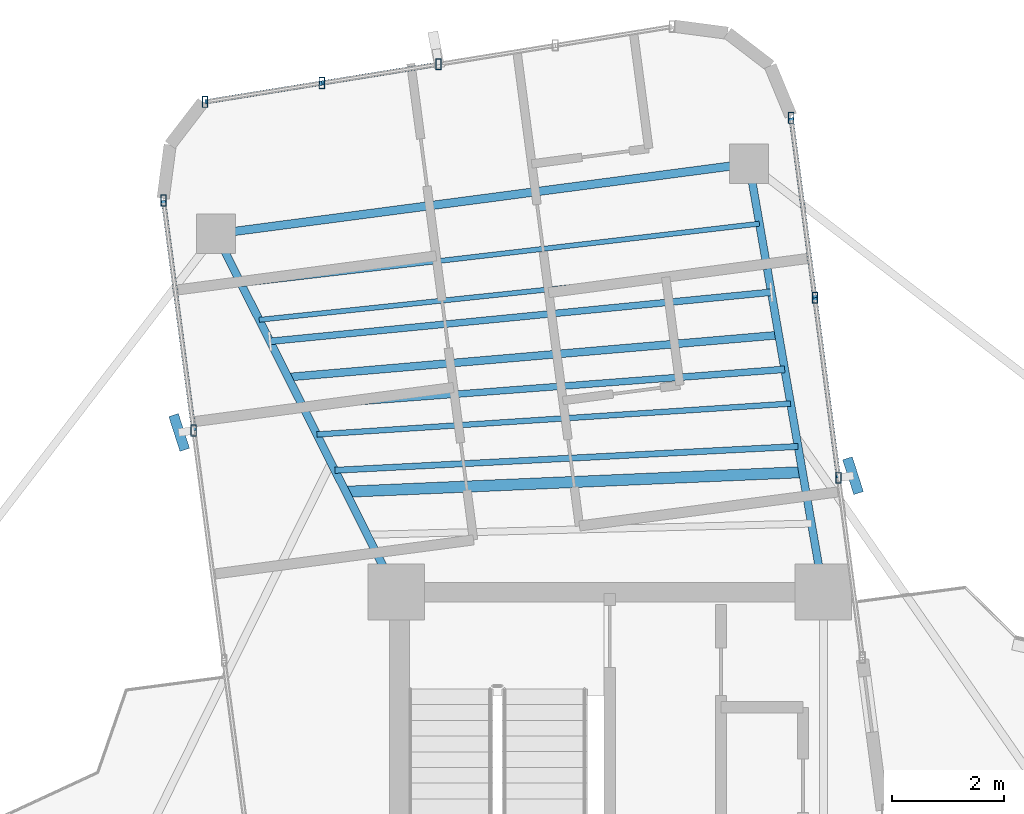
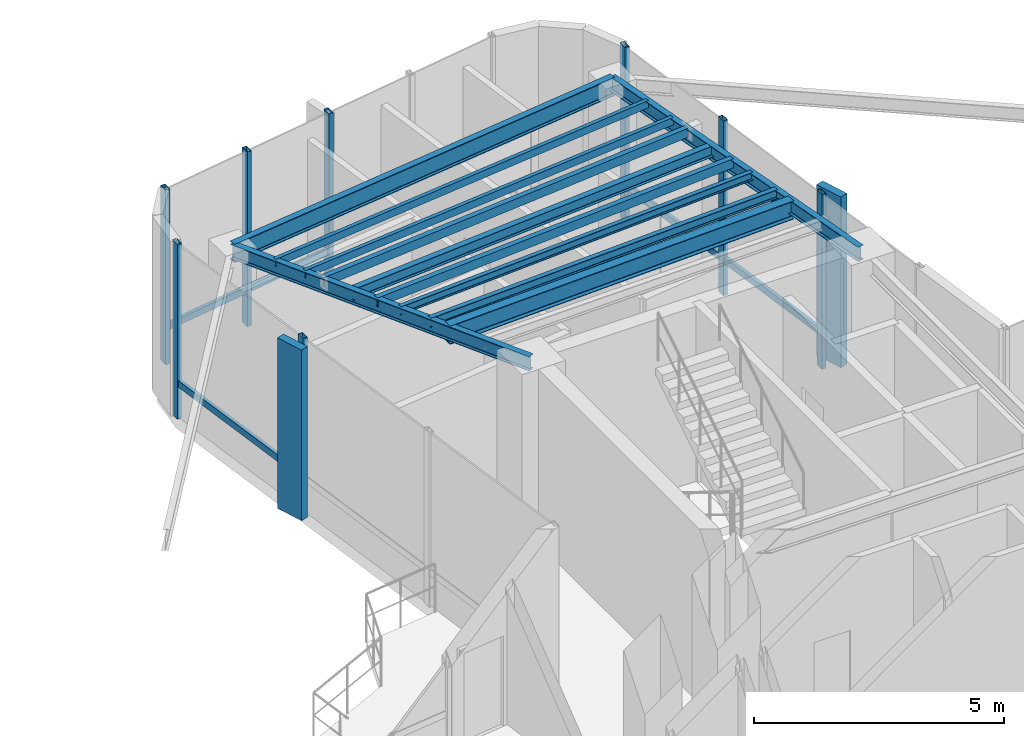
# One storey, part 10 of 20: 15 members, 11 beams, 3 elements without a shape of their own.
"""IFC4 building model written with IfcOpenShell, lengths in metres."""

import ifcopenshell
import ifcopenshell.guid

model = None  # the IFC model being written
_history = None  # IfcOwnerHistory: only IFC2X3 demands one
_inside = {}  # id of a spatial element -> (the spatial element, [elements in it])
_under = {}  # id of a project, library or spatial element -> (it, [spatial elements below it])
_declared = {}  # id of a project -> (the project, [libraries it declares])
_typed = {}  # id of a type object -> (the type object, [elements of that type])
_made_of = {}  # id of a material, layer set ... -> (it, [elements and type objects made of it])


def new_model(schema):
    """Start an empty IFC model of exactly this schema.

    Asked for "IFC4X3", IfcOpenShell would pick the latest addendum, in which some entities
    have other attributes; the version numbers below select the first issue.
    IFC2X3 requires an IfcOwnerHistory on every rooted entity: one is made here for all.
    """
    global model, _history
    if schema == "IFC4X3":
        model = ifcopenshell.file(schema_version=(4, 3, 0, 0))
    else:
        model = ifcopenshell.file(schema=schema)
    _inside.clear()
    _under.clear()
    _declared.clear()
    _typed.clear()
    _made_of.clear()
    _history = None
    if model.schema == "IFC2X3":
        org = make("IfcOrganization", Name="unknown")
        user = make(
            "IfcPersonAndOrganization",
            ThePerson=make("IfcPerson", FamilyName="unknown"),
            TheOrganization=org,
        )
        app = make(
            "IfcApplication",
            ApplicationDeveloper=org,
            Version="unknown",
            ApplicationFullName="unknown",
            ApplicationIdentifier="unknown",
        )
        _history = make(
            "IfcOwnerHistory",
            OwningUser=user,
            OwningApplication=app,
            ChangeAction="ADDED",
            CreationDate=0,
        )
    return model


def make(cls, **values):
    """One entity of the class cls with the attributes given. An attribute that is None is left unset."""
    return model.create_entity(
        cls, **{name: value for name, value in values.items() if value is not None}
    )


def rooted(cls, **values):
    """An entity with a GlobalId (a new one), such as an element, a storey or a relation."""
    return make(cls, GlobalId=ifcopenshell.guid.new(), OwnerHistory=_history, **values)


def si_unit(unit_type, name, prefix=None):
    """IfcSIUnit, for example si_unit("LENGTHUNIT", "METRE", prefix="MILLI")."""
    return make("IfcSIUnit", UnitType=unit_type, Prefix=prefix, Name=name)


def assignment(units):
    """IfcUnitAssignment: the units of a project."""
    return None if units is None else make("IfcUnitAssignment", Units=units)


def point(xyz):
    """IfcCartesianPoint."""
    return None if xyz is None else make("IfcCartesianPoint", Coordinates=xyz)


def direction(xyz):
    """IfcDirection."""
    return None if xyz is None else make("IfcDirection", DirectionRatios=xyz)


def frame(location, z_axis=None, x_axis=None):
    """IfcAxis2Placement3D, a coordinate frame: its origin and axes. An axis left out is left unset."""
    return make(
        "IfcAxis2Placement3D",
        Location=point(location),
        Axis=direction(z_axis),
        RefDirection=direction(x_axis),
    )


def frame_2d(location, x_axis=None):
    """IfcAxis2Placement2D, a coordinate frame in the plane: its origin and x axis."""
    return make(
        "IfcAxis2Placement2D", Location=point(location), RefDirection=direction(x_axis)
    )


def origin():
    """The frame at (0, 0, 0) with its axes left unset."""
    return frame((0.0, 0.0, 0.0))


def origin_2d():
    """The frame at (0, 0) in the plane with its x axis left unset."""
    return frame_2d((0.0, 0.0))


def place(relative_to, where):
    """IfcLocalPlacement: puts the frame where relative to a parent placement (None: the world)."""
    return make(
        "IfcLocalPlacement", PlacementRelTo=relative_to, RelativePlacement=where
    )


def context(
    kind, dimensions, precision=None, world=None, true_north=None, identifier=None
):
    """IfcGeometricRepresentationContext, for example the 3D "Model" context."""
    return make(
        "IfcGeometricRepresentationContext",
        ContextIdentifier=identifier,
        ContextType=kind,
        CoordinateSpaceDimension=dimensions,
        Precision=precision,
        WorldCoordinateSystem=world,
        TrueNorth=true_north,
    )


def subcontext(parent, identifier, kind, view, scale=None):
    """IfcGeometricRepresentationSubContext, for example "Body" below "Model"."""
    return make(
        "IfcGeometricRepresentationSubContext",
        ContextIdentifier=identifier,
        ContextType=kind,
        ParentContext=parent,
        TargetScale=scale,
        TargetView=view,
    )


def project(units=None, contexts=None):
    """IfcProject with its units and contexts."""
    return rooted(
        "IfcProject",
        Name="project",
        RepresentationContexts=contexts,
        UnitsInContext=assignment(units),
    )


def spatial(cls, under=None, at=None, **own):
    """A site, building, storey or space (cls), placed at a placement, below another one or the project."""
    s = rooted(cls, ObjectPlacement=at, **own)
    if under is not None:
        _under.setdefault(under.id(), (under, []))[1].append(s)
    return s


def profile(cls, at=None, kind="AREA", **sizes):
    """A parametric profile (cls). Its sizes go by their IFC names, for example OverallWidth=200.0."""
    return make(cls, ProfileType=kind, Position=at, **sizes)


def rectangle(**sizes):
    """IfcRectangleProfileDef."""
    return profile("IfcRectangleProfileDef", **sizes)


def hollow_rectangle(**sizes):
    """IfcRectangleHollowProfileDef."""
    return profile("IfcRectangleHollowProfileDef", **sizes)


def i_section(**sizes):
    """IfcIShapeProfileDef."""
    return profile("IfcIShapeProfileDef", **sizes)


def extrude(swept, where, along, depth):
    """IfcExtrudedAreaSolid: the profile swept, set in the frame where, extruded along a direction by depth."""
    return make(
        "IfcExtrudedAreaSolid",
        SweptArea=swept,
        Position=where,
        ExtrudedDirection=direction(along),
        Depth=depth,
    )


def shape(context_of_items, identifier, shape_type, items):
    """IfcShapeRepresentation: the items that make up one representation, for example the "Body"."""
    return make(
        "IfcShapeRepresentation",
        ContextOfItems=context_of_items,
        RepresentationIdentifier=identifier,
        RepresentationType=shape_type,
        Items=items,
    )


def source(mapping_origin, context_of_items, identifier, shape_type, items):
    """IfcRepresentationMap: a shape defined once, which mapped items show again and again."""
    return make(
        "IfcRepresentationMap",
        MappingOrigin=mapping_origin,
        MappedRepresentation=shape(context_of_items, identifier, shape_type, items),
    )


def transform(
    local_origin,
    x_axis=None,
    y_axis=None,
    z_axis=None,
    scale=None,
    scale2=None,
    scale3=None,
    uniform=True,
):
    """IfcCartesianTransformationOperator3D, or its non-uniform kind. x_axis, y_axis, z_axis: its Axis1, 2, 3."""
    if uniform:
        return make(
            "IfcCartesianTransformationOperator3D",
            Axis1=direction(x_axis),
            Axis2=direction(y_axis),
            LocalOrigin=point(local_origin),
            Scale=scale,
            Axis3=direction(z_axis),
        )
    return make(
        "IfcCartesianTransformationOperator3DnonUniform",
        Axis1=direction(x_axis),
        Axis2=direction(y_axis),
        LocalOrigin=point(local_origin),
        Scale=scale,
        Axis3=direction(z_axis),
        Scale2=scale2,
        Scale3=scale3,
    )


def mapped(mapping_source, mapping_target):
    """IfcMappedItem: shows the shape of a source again, moved by a transform."""
    return make(
        "IfcMappedItem", MappingSource=mapping_source, MappingTarget=mapping_target
    )


def material(Name=None, Category=None):
    """IfcMaterial."""
    return make("IfcMaterial", Name=Name, Category=Category)


def material_profile(
    of_material, cross_section, Name=None, Category=None, Priority=None
):
    """IfcMaterialProfile: a cross section and its material."""
    return make(
        "IfcMaterialProfile",
        Name=Name,
        Material=of_material,
        Profile=cross_section,
        Priority=Priority,
        Category=Category,
    )


def profile_set(profiles, Name=None, composite=None):
    """IfcMaterialProfileSet."""
    return make(
        "IfcMaterialProfileSet",
        Name=Name,
        MaterialProfiles=profiles,
        CompositeProfile=composite,
    )


def made_of(thing, what):
    """Note that an element or type object is made of a material, layer set ...; save() writes the relation."""
    if what is not None:
        _made_of.setdefault(what.id(), (what, []))[1].append(thing)
    return thing


def type_object(cls, material=None, **own):
    """A type object (cls), such as IfcWallType, which elements share."""
    return made_of(rooted(cls, **own), material)


def element(
    cls,
    number,
    at=None,
    inside=None,
    cuts=None,
    type_object=None,
    material=None,
    context=None,
    identifier="Body",
    shape_type=None,
    held_by="IfcProductDefinitionShape",
    body=None,
    shapes=None,
    **own,
):
    """One element of the class cls, such as IfcWall. Its Tag is "e" and its number.

    at: its placement. inside: the storey or other place that contains it. cuts: it is an
    opening in that element (IfcRelVoidsElement). A single representation is given by context,
    identifier, shape_type and body (its items); several are given by shapes. held_by: the class
    of the entity that holds the representations. save() writes the other relations.
    """
    e = rooted(cls, Tag="e%d" % number, ObjectPlacement=at, **own)
    if body is not None:
        shapes = [shape(context, identifier, shape_type, body)]
    if shapes is not None:
        e.Representation = make(held_by, Representations=shapes)
    if inside is not None:
        _inside.setdefault(inside.id(), (inside, []))[1].append(e)
    if cuts is not None:
        rooted(
            "IfcRelVoidsElement", RelatingBuildingElement=cuts, RelatedOpeningElement=e
        )
    if type_object is not None:
        _typed.setdefault(type_object.id(), (type_object, []))[1].append(e)
    return made_of(e, material)


def aggregate(whole, parts):
    """IfcRelAggregates: a whole, such as a stair, and the parts it consists of."""
    return rooted("IfcRelAggregates", RelatingObject=whole, RelatedObjects=parts)


def save(model, path):
    """Write the relations noted so far, then the file.

    IfcRelAggregates (storeys below a building ...), IfcRelContainedInSpatialStructure (elements
    in a storey), IfcRelDefinesByType, IfcRelAssociatesMaterial and IfcRelDeclares: one each for
    every whole, place, type object, material and project.
    """
    for whole, parts in _under.values():
        aggregate(whole, parts)
    for where, things in _inside.values():
        rooted(
            "IfcRelContainedInSpatialStructure",
            RelatedElements=things,
            RelatingStructure=where,
        )
    for kind, things in _typed.values():
        rooted("IfcRelDefinesByType", RelatedObjects=things, RelatingType=kind)
    for what, things in _made_of.values():
        rooted("IfcRelAssociatesMaterial", RelatedObjects=things, RelatingMaterial=what)
    for by, libraries in _declared.values():
        rooted("IfcRelDeclares", RelatingContext=by, RelatedDefinitions=libraries)
    model.write(path)


model = new_model("IFC4")

# Units and contexts
model_context = context("Model", 3, precision=1e-05, world=origin(), true_north=direction((0.0, 1.0)))
body_context = subcontext(model_context, "Body", "Model", "MODEL_VIEW")
ifc_project = project(units=[si_unit("LENGTHUNIT", "METRE"), si_unit("AREAUNIT", "SQUARE_METRE"), si_unit("VOLUMEUNIT", "CUBIC_METRE"), si_unit("PLANEANGLEUNIT", "RADIAN"), si_unit("MASSUNIT", "GRAM", prefix="KILO")], contexts=[model_context])

# Site, building, storey
site_placement = place(None, origin())
site = spatial("IfcSite", under=ifc_project, at=site_placement, CompositionType="ELEMENT")
building_placement = place(site_placement, origin())
building = spatial("IfcBuilding", under=site, at=building_placement, Name="Sahyath Konkavel Grand Hotel", CompositionType="ELEMENT")
storey_placement = place(building_placement, frame((0.0, 0.0, 229.949951171875)))
storey = spatial("IfcBuildingStorey", under=building, at=storey_placement, Name="L64", CompositionType="ELEMENT", Elevation=229.949951171875)

# Beams
ifc_material_1 = material(Name="Steel E350", Category="steel")
ifc_material_profile_1 = material_profile(ifc_material_1, i_section(OverallWidth=0.139892578125, OverallDepth=0.35009765625, WebThickness=0.008056640625, FlangeThickness=0.01416015625, FilletRadius=0.013916015625, at=origin_2d()), Name="ISMB 350")
ifc_profile_set_1 = profile_set([ifc_material_profile_1], Name="Steel E350")
beam_type_1 = type_object("IfcBeamType", Name="BM-ISMB350", PredefinedType="BEAM", material=ifc_profile_set_1)
shared_shape_1 = source(origin(), body_context, "Body", "SweptSolid", [
    extrude(i_section(OverallWidth=0.139892578125, OverallDepth=0.35009765625, WebThickness=0.008056640625, FlangeThickness=0.01416015625, FilletRadius=0.013916015625, at=origin_2d()), origin(), (0.0, 0.0, 1.0), 7.73681640625),
])
beam_1_placement = place(storey_placement, frame((3.800048828125, 10.199951171875, 4.0849609375), z_axis=(-0.170904360892, 0.985287622691, 0.0), x_axis=(-0.985287622691, -0.170904360892, 0.0)))
element("IfcBeam", 1, at=beam_1_placement, inside=storey, type_object=beam_type_1, Name="L64 Cruciform Radial Girder NA", PredefinedType="BEAM", context=body_context, shape_type="MappedRepresentation", body=[
    mapped(shared_shape_1, transform((0.0, 0.0, 0.0), scale=1.0)),
])
shared_shape_2 = source(origin(), body_context, "Body", "SweptSolid", [
    extrude(i_section(OverallWidth=0.139892578125, OverallDepth=0.35009765625, WebThickness=0.008056640625, FlangeThickness=0.01416015625, FilletRadius=0.013916015625, at=origin_2d()), origin(), (0.0, 0.0, 1.0), 7.13525390625),
])
beam_2_placement = place(storey_placement, frame((-3.800048828125, 10.199951171875, 4.0849609375), z_axis=(-0.449361080992, 0.893350221856, 0.0), x_axis=(-0.893350221856, -0.449361080992, 0.0)))
element("IfcBeam", 2, at=beam_2_placement, inside=storey, type_object=beam_type_1, Name="L64 Cruciform Radial Girder NB", PredefinedType="BEAM", context=body_context, shape_type="MappedRepresentation", body=[
    mapped(shared_shape_2, transform((0.0, 0.0, 0.0), scale=1.0)),
])
ifc_material_profile_2 = material_profile(ifc_material_1, i_section(OverallWidth=0.14990234375, OverallDepth=0.449951171875, WebThickness=0.009521484375, FlangeThickness=0.017333984375, FilletRadius=0.014892578125, at=origin_2d()), Name="ISMB 450")
ifc_profile_set_2 = profile_set([ifc_material_profile_2], Name="Steel E350")
beam_type_2 = type_object("IfcBeamType", Name="BM-ISMB450", PredefinedType="BEAM", material=ifc_profile_set_2)
shared_shape_3 = source(origin(), body_context, "Body", "SweptSolid", [
    extrude(i_section(OverallWidth=0.14990234375, OverallDepth=0.449951171875, WebThickness=0.009521484375, FlangeThickness=0.017333984375, FilletRadius=0.014892578125, at=origin_2d()), origin(), (0.0, 0.0, 1.0), 9.56591796875),
])
beam_3_placement = place(storey_placement, frame((2.477783203125, 17.822998046875, 4.03515625), z_axis=(-0.991442564398, -0.130543638296, 0.0), x_axis=(0.130543638296, -0.991442564398, 0.0)))
element("IfcBeam", 3, at=beam_3_placement, inside=storey, type_object=beam_type_2, Name="L64 Wing Tip Edge Beam N", PredefinedType="BEAM", context=body_context, shape_type="MappedRepresentation", body=[
    mapped(shared_shape_3, transform((0.0, 0.0, 0.0), scale=1.0)),
])
ifc_material_profile_3 = material_profile(ifc_material_1, i_section(OverallWidth=0.199951171875, OverallDepth=0.449951171875, WebThickness=0.00927734375, FlangeThickness=0.015380859375, FilletRadius=0.01611328125, at=origin_2d()), Name="ISWB 450")
ifc_profile_set_3 = profile_set([ifc_material_profile_3], Name="Steel E350")
beam_type_3 = type_object("IfcBeamType", Name="BM-ISWB450", PredefinedType="BEAM", material=ifc_profile_set_3)
shared_shape_4 = source(origin(), body_context, "Body", "SweptSolid", [
    extrude(i_section(OverallWidth=0.199951171875, OverallDepth=0.449951171875, WebThickness=0.00927734375, FlangeThickness=0.015380859375, FilletRadius=0.01611328125, at=origin_2d()), origin(), (0.0, 0.0, 1.0), 8.135009765625),
])
beam_4_placement = place(storey_placement, frame((3.4296875, 12.33447265625, 4.03515625), z_axis=(-0.999076097257, -0.04297617817, 0.0), x_axis=(0.04297617817, -0.999076097257, 0.0)))
element("IfcBeam", 4, at=beam_4_placement, inside=storey, type_object=beam_type_3, Name="L64 Secondary Floor Beam N-1", PredefinedType="BEAM", context=body_context, shape_type="MappedRepresentation", body=[
    mapped(shared_shape_4, transform((0.0, 0.0, 0.0), scale=1.0)),
])
ifc_material_profile_4 = material_profile(ifc_material_1, hollow_rectangle(XDim=0.1201171875, YDim=0.219970703125, WallThickness=0.010009765625, at=origin_2d()), Name="RHS 220x120x10")
ifc_profile_set_4 = profile_set([ifc_material_profile_4], Name="Steel E350")
beam_type_4 = type_object("IfcBeamType", Name="BM-RHS220", PredefinedType="BEAM", material=ifc_profile_set_4)
shared_shape_5 = source(origin(), body_context, "Body", "SweptSolid", [
    extrude(hollow_rectangle(XDim=0.1201171875, YDim=0.219970703125, WallThickness=0.010009765625, at=origin_2d()), origin(), (0.0, 0.0, 1.0), 8.604248046875),
])
beam_5_placement = place(storey_placement, frame((3.112548828125, 14.163818359375, 4.150146484375), z_axis=(-0.997149840217, -0.075446644428, 0.0), x_axis=(0.075446644428, -0.997149840217, 0.0)))
element("IfcBeam", 5, at=beam_5_placement, inside=storey, type_object=beam_type_4, Name="L64 Secondary Floor Beam N-2", PredefinedType="BEAM", context=body_context, shape_type="MappedRepresentation", body=[
    mapped(shared_shape_5, transform((0.0, 0.0, 0.0), scale=1.0)),
])
ifc_material_profile_5 = material_profile(ifc_material_1, hollow_rectangle(XDim=0.090087890625, YDim=0.179931640625, WallThickness=0.008056640625, at=origin_2d()), Name="RHS 180x90x8")
ifc_profile_set_5 = profile_set([ifc_material_profile_5], Name="Steel E350")
beam_type_5 = type_object("IfcBeamType", Name="BM-RHS180", PredefinedType="BEAM", material=ifc_profile_set_5)
shared_shape_6 = source(origin(), body_context, "Body", "SweptSolid", [
    extrude(hollow_rectangle(XDim=0.090087890625, YDim=0.179931640625, WallThickness=0.008056640625, at=origin_2d()), origin(), (0.0, 0.0, 1.0), 9.081787109375),
])
beam_6_placement = place(storey_placement, frame((2.795166015625, 15.993408203125, 4.170166015625), z_axis=(-0.994525614883, -0.104493068389, 0.0), x_axis=(0.104493068389, -0.994525614883, 0.0)))
element("IfcBeam", 6, at=beam_6_placement, inside=storey, type_object=beam_type_5, Name="L64 Secondary Floor Beam N-3", PredefinedType="BEAM", context=body_context, shape_type="MappedRepresentation", body=[
    mapped(shared_shape_6, transform((0.0, 0.0, 0.0), scale=1.0)),
])
ifc_material_profile_6 = material_profile(ifc_material_1, i_section(OverallWidth=0.110107421875, OverallDepth=0.22509765625, WebThickness=0.006591796875, FlangeThickness=0.01171875, FilletRadius=0.011962890625, at=origin_2d()), Name="ISMB 225")
ifc_profile_set_6 = profile_set([ifc_material_profile_6], Name="Steel E350")
beam_type_6 = type_object("IfcBeamType", Name="BM-ISMB225", PredefinedType="BEAM", material=ifc_profile_set_6)
shared_shape_7 = source(origin(), body_context, "Body", "SweptSolid", [
    extrude(i_section(OverallWidth=0.110107421875, OverallDepth=0.22509765625, WebThickness=0.006591796875, FlangeThickness=0.01171875, FilletRadius=0.011962890625, at=origin_2d()), origin(), (0.0, 0.0, 1.0), 8.251708984375),
])
beam_7_placement = place(storey_placement, frame((3.3505859375, 12.791748046875, 4.1474609375), z_axis=(-0.998675490224, -0.051451581368, 0.0), x_axis=(0.051451581368, -0.998675490224, 0.0)))
element("IfcBeam", 7, at=beam_7_placement, inside=storey, type_object=beam_type_6, Name="L64 Composite Deck Sub-Beam N-2", PredefinedType="BEAM", context=body_context, shape_type="MappedRepresentation", body=[
    mapped(shared_shape_7, transform((0.0, 0.0, 0.0), scale=1.0)),
])
ifc_material_profile_7 = material_profile(ifc_material_1, i_section(OverallWidth=0.10009765625, OverallDepth=0.199951171875, WebThickness=0.005615234375, FlangeThickness=0.0107421875, FilletRadius=0.010986328125, at=origin_2d()), Name="ISMB 200")
ifc_profile_set_7 = profile_set([ifc_material_profile_7], Name="Steel E350")
beam_type_7 = type_object("IfcBeamType", Name="BM-ISMB200", PredefinedType="BEAM", material=ifc_profile_set_7)
shared_shape_8 = source(origin(), body_context, "Body", "SweptSolid", [
    extrude(i_section(OverallWidth=0.10009765625, OverallDepth=0.199951171875, WebThickness=0.005615234375, FlangeThickness=0.0107421875, FilletRadius=0.010986328125, at=origin_2d()), origin(), (0.0, 0.0, 1.0), 8.44677734375),
])
beam_8_placement = place(storey_placement, frame((3.21826171875, 13.55419921875, 4.16015625), z_axis=(-0.99788128913, -0.065060992957, 0.0), x_axis=(0.065060992957, -0.99788128913, 0.0)))
element("IfcBeam", 8, at=beam_8_placement, inside=storey, type_object=beam_type_7, Name="L64 Composite Deck Sub-Beam N-3", PredefinedType="BEAM", context=body_context, shape_type="MappedRepresentation", body=[
    mapped(shared_shape_8, transform((0.0, 0.0, 0.0), scale=1.0)),
])
ifc_material_profile_8 = material_profile(ifc_material_1, i_section(OverallWidth=0.139892578125, OverallDepth=0.27490234375, WebThickness=0.00634765625, FlangeThickness=0.0087890625, FilletRadius=0.012939453125, at=origin_2d()), Name="ISLB 275")
ifc_profile_set_8 = profile_set([ifc_material_profile_8], Name="Steel E350")
beam_type_8 = type_object("IfcBeamType", Name="BM-ISLB275", PredefinedType="BEAM", material=ifc_profile_set_8)
shared_shape_9 = source(origin(), body_context, "Body", "SweptSolid", [
    extrude(i_section(OverallWidth=0.139892578125, OverallDepth=0.27490234375, WebThickness=0.00634765625, FlangeThickness=0.0087890625, FilletRadius=0.012939453125, at=origin_2d()), origin(), (0.0, 0.0, 1.0), 8.762451171875),
])
beam_9_placement = place(storey_placement, frame((3.006591796875, 14.773681640625, 4.12255859375), z_axis=(-0.996339872362, -0.085480165783, 0.0), x_axis=(0.085480165783, -0.996339872362, 0.0)))
element("IfcBeam", 9, at=beam_9_placement, inside=storey, type_object=beam_type_8, Name="L64 Composite Deck Sub-Beam N-4", PredefinedType="BEAM", context=body_context, shape_type="MappedRepresentation", body=[
    mapped(shared_shape_9, transform((0.0, 0.0, 0.0), scale=1.0)),
])
shared_shape_10 = source(origin(), body_context, "Body", "SweptSolid", [
    extrude(hollow_rectangle(XDim=0.1201171875, YDim=0.219970703125, WallThickness=0.010009765625, at=origin_2d()), origin(), (0.0, 0.0, 1.0), 8.961669921875),
])
beam_10_placement = place(storey_placement, frame((2.87451171875, 15.535888671875, 4.150146484375), z_axis=(-0.995235317854, -0.097502113287, 0.0), x_axis=(0.097502113287, -0.995235317854, 0.0)))
element("IfcBeam", 10, at=beam_10_placement, inside=storey, type_object=beam_type_4, Name="L64 Composite Deck Sub-Beam N-5", PredefinedType="BEAM", context=body_context, shape_type="MappedRepresentation", body=[
    mapped(shared_shape_10, transform((0.0, 0.0, 0.0), scale=1.0)),
])
shared_shape_11 = source(origin(), body_context, "Body", "SweptSolid", [
    extrude(hollow_rectangle(XDim=0.090087890625, YDim=0.179931640625, WallThickness=0.008056640625, at=origin_2d()), origin(), (0.0, 0.0, 1.0), 9.282470703125),
])
beam_11_placement = place(storey_placement, frame((2.662841796875, 16.755615234375, 4.170166015625), z_axis=(-0.993287436184, -0.115672248698, 0.0), x_axis=(0.115672248698, -0.993287436184, 0.0)))
element("IfcBeam", 11, at=beam_11_placement, inside=storey, type_object=beam_type_5, Name="L64 Composite Deck Sub-Beam N-6", PredefinedType="BEAM", context=body_context, shape_type="MappedRepresentation", body=[
    mapped(shared_shape_11, transform((0.0, 0.0, 0.0), scale=1.0)),
])

# Curtain wall, members
ifc_material_2 = material(Name="Anodised Bronze Aluminium & Low-E Glazing", Category="aluminium")
curtain_wall_type = type_object("IfcCurtainWallType", Name="CW-SKYLOBBY", PredefinedType="NOTDEFINED", material=ifc_material_2)
curtain_wall_1_placement = place(storey_placement, origin())
curtain_wall_1 = element("IfcCurtainWall", 12, at=curtain_wall_1_placement, inside=storey, type_object=curtain_wall_type, Name="L64 Unitised Curtain Wall F8", PredefinedType="NOTDEFINED")
ifc_material_3 = material(Name="Anodised Bronze Aluminium", Category="aluminium")
ifc_material_profile_9 = material_profile(ifc_material_3, hollow_rectangle(XDim=0.10009765625, YDim=0.199951171875, WallThickness=0.008056640625, at=origin_2d()), Name="RHS 200x100x8")
ifc_profile_set_9 = profile_set([ifc_material_profile_9], Name="Anodised Bronze Aluminium")
member_type_1 = type_object("IfcMemberType", Name="CW-MUL-200", PredefinedType="MULLION", material=ifc_profile_set_9)
shared_shape_12 = source(origin(), body_context, "Body", "SweptSolid", [
    extrude(hollow_rectangle(XDim=0.10009765625, YDim=0.199951171875, WallThickness=0.008056640625, at=origin_2d()), origin(), (0.0, 0.0, 1.0), 4.260009765625),
])
member_1_placement = place(storey_placement, frame((4.070556640625, 12.237060546875, 0.0), z_axis=(0.0, 0.0, 1.0), x_axis=(1.0, 0.0, 0.0)))
member_1 = element("IfcMember", 13, at=member_1_placement, type_object=member_type_1, Name="L64 Curtain Wall Mullion F8-1", PredefinedType="MULLION", context=body_context, shape_type="MappedRepresentation", body=[
    mapped(shared_shape_12, transform((0.0, 0.0, 0.0), scale=1.0)),
])
member_2_placement = place(storey_placement, frame((3.6494140625, 15.4375, 0.0), z_axis=(0.0, 0.0, 1.0), x_axis=(1.0, 0.0, 0.0)))
member_2 = element("IfcMember", 14, at=member_2_placement, type_object=member_type_1, Name="L64 Curtain Wall Mullion F8-2", PredefinedType="MULLION", context=body_context, shape_type="MappedRepresentation", body=[
    mapped(shared_shape_12, transform((0.0, 0.0, 0.0), scale=1.0)),
])
member_3_placement = place(storey_placement, frame((3.227783203125, 18.6376953125, 0.0), z_axis=(0.0, 0.0, 1.0), x_axis=(1.0, 0.0, 0.0)))
member_3 = element("IfcMember", 15, at=member_3_placement, type_object=member_type_1, Name="L64 Curtain Wall Mullion F8-3", PredefinedType="MULLION", context=body_context, shape_type="MappedRepresentation", body=[
    mapped(shared_shape_12, transform((0.0, 0.0, 0.0), scale=1.0)),
])

curtain_wall_2_placement = place(storey_placement, origin())
curtain_wall_2 = element("IfcCurtainWall", 16, at=curtain_wall_2_placement, inside=storey, type_object=curtain_wall_type, Name="L64 Unitised Curtain Wall F12", PredefinedType="NOTDEFINED")
member_4_placement = place(storey_placement, frame((-3.0458984375, 19.593017578125, 0.0), z_axis=(0.0, 0.0, 1.0), x_axis=(1.0, 0.0, 0.0)))
member_4 = element("IfcMember", 17, at=member_4_placement, type_object=member_type_1, Name="L64 Curtain Wall Mullion F12-2", PredefinedType="MULLION", context=body_context, shape_type="MappedRepresentation", body=[
    mapped(shared_shape_12, transform((0.0, 0.0, 0.0), scale=1.0)),
])
member_5_placement = place(storey_placement, frame((-5.122802734375, 19.2578125, 0.0), z_axis=(0.0, 0.0, 1.0), x_axis=(1.0, 0.0, 0.0)))
member_5 = element("IfcMember", 18, at=member_5_placement, type_object=member_type_1, Name="L64 Curtain Wall Mullion F12-3", PredefinedType="MULLION", context=body_context, shape_type="MappedRepresentation", body=[
    mapped(shared_shape_12, transform((0.0, 0.0, 0.0), scale=1.0)),
])
member_6_placement = place(storey_placement, frame((-7.199462890625, 18.922607421875, 0.0), z_axis=(0.0, 0.0, 1.0), x_axis=(1.0, 0.0, 0.0)))
member_6 = element("IfcMember", 19, at=member_6_placement, type_object=member_type_1, Name="L64 Curtain Wall Mullion F12-4", PredefinedType="MULLION", context=body_context, shape_type="MappedRepresentation", body=[
    mapped(shared_shape_12, transform((0.0, 0.0, 0.0), scale=1.0)),
])

curtain_wall_3_placement = place(storey_placement, origin())
curtain_wall_3 = element("IfcCurtainWall", 20, at=curtain_wall_3_placement, inside=storey, type_object=curtain_wall_type, Name="L64 Unitised Curtain Wall F15", PredefinedType="NOTDEFINED")
member_7_placement = place(storey_placement, frame((-7.941650390625, 17.167236328125, 0.0), z_axis=(0.0, 0.0, 1.0), x_axis=(1.0, 0.0, 0.0)))
member_7 = element("IfcMember", 21, at=member_7_placement, type_object=member_type_1, Name="L64 Curtain Wall Mullion F15-0", PredefinedType="MULLION", context=body_context, shape_type="MappedRepresentation", body=[
    mapped(shared_shape_12, transform((0.0, 0.0, 0.0), scale=1.0)),
])
member_8_placement = place(storey_placement, frame((-7.40283203125, 13.07470703125, 0.0), z_axis=(0.0, 0.0, 1.0), x_axis=(1.0, 0.0, 0.0)))
member_8 = element("IfcMember", 22, at=member_8_placement, type_object=member_type_1, Name="L64 Curtain Wall Mullion F15-1", PredefinedType="MULLION", context=body_context, shape_type="MappedRepresentation", body=[
    mapped(shared_shape_12, transform((0.0, 0.0, 0.0), scale=1.0)),
])

# Member
ifc_material_4 = material(Name="Warm Buff Sandstone Cladding on Concrete C50/60", Category="masonry")
ifc_material_profile_10 = material_profile(ifc_material_4, rectangle(XDim=0.179931640625, YDim=0.64990234375, at=origin_2d()), Name="FIN 180x650")
ifc_profile_set_10 = profile_set([ifc_material_profile_10], Name="Warm Buff Sandstone Cladding on Concrete C50/60")
member_type_2 = type_object("IfcMemberType", Name="FIN-SANDSTONE-650", PredefinedType="MULLION", material=ifc_profile_set_10)
shared_shape_13 = source(origin(), body_context, "Body", "SweptSolid", [
    extrude(rectangle(XDim=0.179931640625, YDim=0.64990234375, at=origin_2d()), origin(), (0.0, 0.0, 1.0), 4.159912109375),
])
member_9_placement = place(storey_placement, frame((4.328369140625, 12.27099609375, 0.050048828125), z_axis=(0.0, 0.0, 1.0), x_axis=(0.952022626946, 0.306027642189, 0.0)))
member_9 = element("IfcMember", 23, at=member_9_placement, type_object=member_type_2, Name="L64 Sandstone Vertical Solar Fin FIN F8-1", PredefinedType="MULLION", context=body_context, shape_type="MappedRepresentation", body=[
    mapped(shared_shape_13, transform((0.0, 0.0, 0.0), scale=1.0)),
])

member_10_placement = place(storey_placement, frame((-7.66064453125, 13.040771484375, 0.050048828125), z_axis=(0.0, 0.0, 1.0), x_axis=(0.952022626946, 0.306027642189, 0.0)))
member_10 = element("IfcMember", 24, at=member_10_placement, type_object=member_type_2, Name="L64 Sandstone Vertical Solar Fin FIN F15-1", PredefinedType="MULLION", context=body_context, shape_type="MappedRepresentation", body=[
    mapped(shared_shape_13, transform((0.0, 0.0, 0.0), scale=1.0)),
])

ifc_material_profile_11 = material_profile(ifc_material_3, hollow_rectangle(XDim=0.080078125, YDim=0.159912109375, WallThickness=0.006103515625, at=origin_2d()), Name="RHS 160x80x6")
ifc_profile_set_11 = profile_set([ifc_material_profile_11], Name="Anodised Bronze Aluminium")
member_type_3 = type_object("IfcMemberType", Name="CW-TRN-160", PredefinedType="USERDEFINED", material=ifc_profile_set_11)
shared_shape_14 = source(origin(), body_context, "Body", "SweptSolid", [
    extrude(hollow_rectangle(XDim=0.080078125, YDim=0.159912109375, WallThickness=0.006103515625, at=origin_2d()), origin(), (0.0, 0.0, 1.0), 3.22802734375),
])
member_11_placement = place(storey_placement, frame((4.070556640625, 12.237060546875, 0.85009765625), z_axis=(-0.130464294716, 0.991453008369, 0.0), x_axis=(-0.991453008369, -0.130464294716, 0.0)))
member_11 = element("IfcMember", 25, at=member_11_placement, type_object=member_type_3, Name="L64 Curtain Wall Transom F8-1-spandrel", ObjectType="TRANSOM", PredefinedType="USERDEFINED", context=body_context, shape_type="MappedRepresentation", body=[
    mapped(shared_shape_14, transform((0.0, 0.0, 0.0), scale=1.0)),
])

shared_shape_15 = source(origin(), body_context, "Body", "SweptSolid", [
    extrude(hollow_rectangle(XDim=0.080078125, YDim=0.159912109375, WallThickness=0.006103515625, at=origin_2d()), origin(), (0.0, 0.0, 1.0), 3.227783203125),
])
member_12_placement = place(storey_placement, frame((3.6494140625, 15.4375, 0.85009765625), z_axis=(-0.13062277299, 0.991432141488, 0.0), x_axis=(-0.991432141488, -0.13062277299, 0.0)))
member_12 = element("IfcMember", 26, at=member_12_placement, type_object=member_type_3, Name="L64 Curtain Wall Transom F8-2-spandrel", ObjectType="TRANSOM", PredefinedType="USERDEFINED", context=body_context, shape_type="MappedRepresentation", body=[
    mapped(shared_shape_15, transform((0.0, 0.0, 0.0), scale=1.0)),
])

aggregate(curtain_wall_1, [member_1, member_9, member_2, member_3, member_11, member_12])

shared_shape_16 = source(origin(), body_context, "Body", "SweptSolid", [
    extrude(hollow_rectangle(XDim=0.080078125, YDim=0.159912109375, WallThickness=0.006103515625, at=origin_2d()), origin(), (0.0, 0.0, 1.0), 2.103515625),
])
member_13_placement = place(storey_placement, frame((-5.122802734375, 19.2578125, 0.85009765625), z_axis=(-0.987221691262, -0.159352854703, 0.0), x_axis=(0.159352854703, -0.987221691262, 0.0)))
member_13 = element("IfcMember", 27, at=member_13_placement, type_object=member_type_3, Name="L64 Curtain Wall Transom F12-3-spandrel", ObjectType="TRANSOM", PredefinedType="USERDEFINED", context=body_context, shape_type="MappedRepresentation", body=[
    mapped(shared_shape_16, transform((0.0, 0.0, 0.0), scale=1.0)),
])

shared_shape_17 = source(origin(), body_context, "Body", "SweptSolid", [
    extrude(hollow_rectangle(XDim=0.080078125, YDim=0.159912109375, WallThickness=0.006103515625, at=origin_2d()), origin(), (0.0, 0.0, 1.0), 2.103759765625),
])
member_14_placement = place(storey_placement, frame((-3.0458984375, 19.593017578125, 0.85009765625), z_axis=(-0.987224637951, -0.15933459832, 0.0), x_axis=(0.15933459832, -0.987224637951, 0.0)))
member_14 = element("IfcMember", 28, at=member_14_placement, type_object=member_type_3, Name="L64 Curtain Wall Transom F12-2-spandrel", ObjectType="TRANSOM", PredefinedType="USERDEFINED", context=body_context, shape_type="MappedRepresentation", body=[
    mapped(shared_shape_17, transform((0.0, 0.0, 0.0), scale=1.0)),
])

aggregate(curtain_wall_2, [member_4, member_5, member_6, member_14, member_13])

shared_shape_18 = source(origin(), body_context, "Body", "SweptSolid", [
    extrude(hollow_rectangle(XDim=0.080078125, YDim=0.159912109375, WallThickness=0.006103515625, at=origin_2d()), origin(), (0.0, 0.0, 1.0), 4.1279296875),
])
member_15_placement = place(storey_placement, frame((-7.941650390625, 17.167236328125, 0.85009765625), z_axis=(0.1305325398, -0.991444025678, 0.0), x_axis=(0.991444025678, 0.1305325398, 0.0)))
member_15 = element("IfcMember", 29, at=member_15_placement, type_object=member_type_3, Name="L64 Curtain Wall Transom F15-0-spandrel", ObjectType="TRANSOM", PredefinedType="USERDEFINED", context=body_context, shape_type="MappedRepresentation", body=[
    mapped(shared_shape_18, transform((0.0, 0.0, 0.0), scale=1.0)),
])

aggregate(curtain_wall_3, [member_7, member_8, member_10, member_15])

save(model, "model.ifc")
